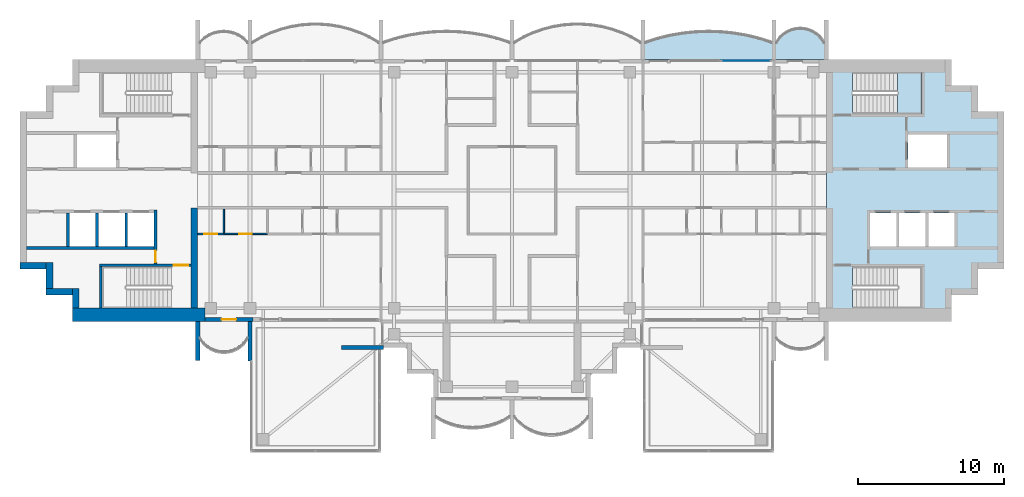
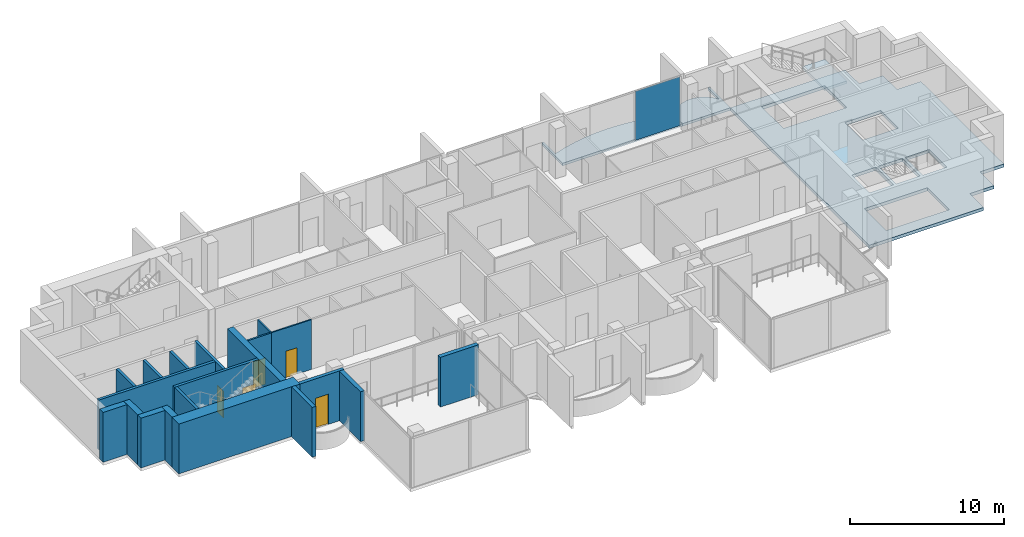
# One storey, part 6 of 16: 20 walls, 5 doors, 4 slabs, 1 plate, 5 openings, 2 elements without a shape of their own.
"""IFC4 building model written with IfcOpenShell, lengths in metres."""

from ifc_helpers import new_model, si_unit, direction, frame, frame_2d, origin, origin_2d, place, context, subcontext, project, spatial, polyline, rectangle, outline, extrude, material, layer, layer_set, type_object, element, fill, aggregate, save


model = new_model("IFC4")

# Units and contexts
model_context = context("Model", 3, precision=1e-05, world=origin(), true_north=direction((0.0, 1.0)))
body_context = subcontext(model_context, "Body", "Model", "MODEL_VIEW")
ifc_project = project(units=[si_unit("LENGTHUNIT", "METRE"), si_unit("AREAUNIT", "SQUARE_METRE"), si_unit("VOLUMEUNIT", "CUBIC_METRE"), si_unit("PLANEANGLEUNIT", "RADIAN"), si_unit("MASSUNIT", "GRAM", prefix="KILO")], contexts=[model_context])

# Site, building, storey
site_placement = place(None, origin())
site = spatial("IfcSite", under=ifc_project, at=site_placement, CompositionType="ELEMENT")
building_placement = place(site_placement, origin())
building = spatial("IfcBuilding", under=site, at=building_placement, Name="Perihelion Cross Residences", CompositionType="ELEMENT")
storey_placement = place(building_placement, frame((0.0, 0.0, 294.60009765625)))
storey = spatial("IfcBuildingStorey", under=building, at=storey_placement, Name="L75", CompositionType="ELEMENT", Elevation=294.60009765625)

# Slabs
ifc_material_1 = material(Name="Concrete C40/50", Category="concrete")
ifc_layer_1 = layer(ifc_material_1, 0.199951171875)
ifc_layer_set_1 = layer_set([ifc_layer_1], Name="Balcony slab 200")
slab_type_1 = type_object("IfcSlabType", Name="Balcony slab 200", PredefinedType="FLOOR", material=ifc_layer_set_1)
slab_1_placement = place(storey_placement, frame((0.0, 0.0, -0.2001953125)))
element("IfcSlab", 1, at=slab_1_placement, inside=storey, type_object=slab_type_1, Name="Slab BK1 L75 east side north bay 1 balcony", PredefinedType="FLOOR", context=body_context, shape_type="SweptSolid", body=[
    extrude(outline(polyline([(21.60009765625, 9.0), (18.0, 9.0), (18.0, 11.699951171875), (18.14990234375, 11.699951171875), (18.14990234375, 10.199951171875), (18.425048828125, 10.568603515625), (18.699951171875, 10.806396484375), (18.97509765625, 10.96875), (19.25, 11.07568359375), (19.52490234375, 11.136962890625), (19.800048828125, 11.156982421875), (20.074951171875, 11.136962890625), (20.35009765625, 11.07568359375), (20.625, 10.96875), (20.89990234375, 10.806396484375), (21.175048828125, 10.568603515625), (21.449951171875, 10.199951171875), (21.449951171875, 11.699951171875), (21.60009765625, 11.699951171875), (21.60009765625, 9.0)])), origin(), (0.0, 0.0, 1.0), 0.2001953125),
])
slab_2_placement = place(storey_placement, frame((0.0, 0.0, -0.2001953125)))
element("IfcSlab", 2, at=slab_2_placement, inside=storey, type_object=slab_type_1, Name="Slab BK1 L75 east side north bay 2 balcony", PredefinedType="FLOOR", context=body_context, shape_type="SweptSolid", body=[
    extrude(outline(polyline([(18.0, 9.0), (9.0, 9.0), (9.0, 11.699951171875), (9.14990234375, 11.699951171875), (9.14990234375, 10.199951171875), (10.02001953125, 10.47509765625), (10.889892578125, 10.68505859375), (11.760009765625, 10.8330078125), (12.6298828125, 10.9208984375), (13.5, 10.949951171875), (14.3701171875, 10.9208984375), (15.239990234375, 10.8330078125), (16.110107421875, 10.68505859375), (16.97998046875, 10.47509765625), (17.85009765625, 10.199951171875), (17.85009765625, 11.699951171875), (18.0, 11.699951171875), (18.0, 9.0)])), origin(), (0.0, 0.0, 1.0), 0.2001953125),
])

# Curtain wall, plate
ifc_material_2 = material(Name="Bronze anodised aluminium, tinted glazing", Category="aluminium")
curtain_wall_type = type_object("IfcCurtainWallType", Name="CW1", PredefinedType="NOTDEFINED", material=ifc_material_2)
curtain_wall_placement = place(storey_placement, origin())
curtain_wall = element("IfcCurtainWall", 3, at=curtain_wall_placement, inside=storey, type_object=curtain_wall_type, Name="Curtain wall CW1 L75 east side north bay 2", PredefinedType="NOTDEFINED")
ifc_material_3 = material(Name="Tinted laminated glass", Category="glass")
ifc_layer_2 = layer(ifc_material_3, 0.028076171875)
ifc_layer_set_2 = layer_set([ifc_layer_2], Name="CW1 panel")
plate_type = type_object("IfcPlateType", Name="CW1 panel", PredefinedType="CURTAIN_PANEL", material=ifc_layer_set_2)
plate_placement = place(storey_placement, frame((16.06005859375, 8.89990234375, 0.0), z_axis=(0.0, 0.0, 1.0), x_axis=(-1.0, 0.0, 0.0)))
plate = element("IfcPlate", 4, at=plate_placement, type_object=plate_type, Name="CW1 panel 1", PredefinedType="CURTAIN_PANEL", context=body_context, shape_type="SweptSolid", body=[
    extrude(rectangle(XDim=3.360107421875, YDim=0.028076171875, at=origin_2d()), origin(), (0.0, 0.0, 1.0), 3.889892578125),
])
aggregate(curtain_wall, [plate])

# Slab
ifc_material_4 = material(Name="Concrete C40/50", Category="concrete")
ifc_layer_3 = layer(ifc_material_4, 0.25)
ifc_layer_set_3 = layer_set([ifc_layer_3], Name="Core floor slab 250")
slab_type_2 = type_object("IfcSlabType", Name="Core floor slab 250", PredefinedType="FLOOR", material=ifc_layer_set_3)
slab_3_placement = place(storey_placement, frame((0.0, 0.0, -0.25)))
element("IfcSlab", 5, at=slab_3_placement, inside=storey, type_object=slab_type_2, Name="East core floor slab", PredefinedType="FLOOR", context=body_context, shape_type="SweptSolid", body=[
    extrude(outline(polyline([(30.199951171875, 7.199951171875), (32.0, 7.199951171875), (32.0, 5.39990234375), (33.800048828125, 5.39990234375), (33.800048828125, -5.39990234375), (32.0, -5.39990234375), (32.0, -7.199951171875), (30.199951171875, -7.199951171875), (30.199951171875, -9.0), (21.60009765625, -9.0), (21.60009765625, 9.0), (30.199951171875, 9.0), (30.199951171875, 7.199951171875)]), holes=[polyline([(28.14990234375, -8.10009765625), (28.14990234375, -5.25), (23.405029296875, -5.25), (23.405029296875, -8.10009765625), (28.14990234375, -8.10009765625)]), polyline([(24.60009765625, -1.550048828125), (24.60009765625, -3.85009765625), (26.39990234375, -3.85009765625), (26.39990234375, -1.550048828125), (24.60009765625, -1.550048828125)]), polyline([(26.60009765625, -1.550048828125), (26.60009765625, -3.85009765625), (28.39990234375, -3.85009765625), (28.39990234375, -1.550048828125), (26.60009765625, -1.550048828125)]), polyline([(28.60009765625, -3.85009765625), (30.39990234375, -3.85009765625), (30.39990234375, -1.550048828125), (28.60009765625, -1.550048828125), (28.60009765625, -3.85009765625)]), polyline([(27.199951171875, 3.85009765625), (27.199951171875, 1.550048828125), (29.89990234375, 1.550048828125), (29.89990234375, 3.85009765625), (27.199951171875, 3.85009765625)]), polyline([(23.405029296875, 5.25), (28.14990234375, 5.25), (28.14990234375, 8.10009765625), (23.405029296875, 8.10009765625), (23.405029296875, 5.25)])]), origin(), (0.0, 0.0, 1.0), 0.25),
])

# Stair, slab
ifc_material_5 = material(Name="Concrete C40/50", Category="concrete")
stair_type = type_object("IfcStairType", Name="Exit stair, half-turn", PredefinedType="HALF_TURN_STAIR", material=ifc_material_5)
stair_placement = place(storey_placement, origin())
stair = element("IfcStair", 6, at=stair_placement, inside=storey, type_object=stair_type, Name="L75 East core exit stair 1", PredefinedType="HALF_TURN_STAIR")
ifc_material_6 = material(Name="Concrete C40/50", Category="concrete")
ifc_layer_4 = layer(ifc_material_6, 0.199951171875)
ifc_layer_set_4 = layer_set([ifc_layer_4], Name="Exit stair landing 200")
slab_type_3 = type_object("IfcSlabType", Name="Exit stair landing 200", PredefinedType="LANDING", material=ifc_layer_set_4)
slab_4_placement = place(storey_placement, frame((0.0, 0.0, 1.89990234375)))
slab_4 = element("IfcSlab", 7, at=slab_4_placement, type_object=slab_type_3, Name="ST-E1 landing 1", PredefinedType="LANDING", context=body_context, shape_type="SweptSolid", body=[
    extrude(outline(polyline([(26.47998046875, 5.25), (28.14990234375, 5.25), (28.14990234375, 8.10009765625), (26.47998046875, 8.10009765625), (26.47998046875, 5.25)])), origin(), (0.0, 0.0, 1.0), 0.199951171875),
])
aggregate(stair, [slab_4])

# Wall, opening, door
ifc_material_7 = material(Name="Concrete C30/37, bronze-clad", Category="concrete")
ifc_layer_5 = layer(ifc_material_7, 0.25)
ifc_layer_set_5 = layer_set([ifc_layer_5], Name="Bronze-clad pier wall 250")
wall_type_1 = type_object("IfcWallType", Name="Bronze-clad pier wall 250", PredefinedType="SOLIDWALL", material=ifc_layer_set_5)
wall_1_placement = place(storey_placement, frame((-21.10009765625, -8.875, 0.0), z_axis=(0.0, 0.0, 1.0), x_axis=(1.0, 0.0, 0.0)))
wall_1 = element("IfcWall", 8, at=wall_1_placement, inside=storey, type_object=wall_type_1, Name="Wall FW1 L75 west side south bay 1 pier", PredefinedType="SOLIDWALL", context=body_context, shape_type="SweptSolid", body=[
    extrude(rectangle(XDim=3.300048828125, YDim=0.25, at=frame_2d((1.64990234375, 0.0))), origin(), (0.0, 0.0, 1.0), 3.949951171875),
])
opening_1_placement = place(wall_1_placement, frame((1.14990234375, 0.0, 0.0)))
opening_1 = element("IfcOpeningElement", 9, at=opening_1_placement, cuts=wall_1, Name="Opening L75.E07", PredefinedType="OPENING", context=body_context, shape_type="SweptSolid", body=[
    extrude(rectangle(XDim=1.0, YDim=2.39990234375, at=frame_2d((0.5, 1.199951171875))), frame((0.0, 0.135009765625, 0.0), z_axis=(0.0, -1.0, 0.0), x_axis=(1.0, 0.0, 0.0)), (0.0, 0.0, 1.0), 0.27001953125),
])
ifc_material_8 = material(Name="Bronze anodised aluminium, glazed", Category="aluminium")
door_type_1 = type_object("IfcDoorType", Name="Balcony door 1000 x 2400", OperationType="NOTDEFINED", PredefinedType="DOOR", material=ifc_material_8)
door_1_placement = place(opening_1_placement, origin())
door_1 = element("IfcDoor", 10, at=door_1_placement, inside=storey, type_object=door_type_1, Name="Door L75.E07 west side south bay 1", OperationType="SINGLE_SWING_LEFT", OverallHeight=2.39990234375, OverallWidth=1.0, PredefinedType="DOOR", context=body_context, shape_type="SweptSolid", body=[
    extrude(rectangle(XDim=1.0, YDim=2.39990234375, at=frame_2d((0.5, 1.199951171875))), frame((0.0, 0.02490234375, 0.0), z_axis=(0.0, -1.0, 0.0), x_axis=(1.0, 0.0, 0.0)), (0.0, 0.0, 1.0), 0.050048828125),
])
fill(opening_1, door_1)

# Walls
ifc_material_9 = material(Name="Concrete C60/75", Category="concrete")
ifc_layer_6 = layer(ifc_material_9, 0.449951171875)
ifc_layer_set_6 = layer_set([ifc_layer_6], Name="Core wall, inner 450")
wall_type_2 = type_object("IfcWallType", Name="Core wall, inner 450", PredefinedType="SHEAR", material=ifc_layer_set_6)
wall_2_placement = place(storey_placement, frame((-21.824951171875, -8.10009765625, 0.0), z_axis=(0.0, 0.0, 1.0), x_axis=(0.0, 1.0, 0.0)))
element("IfcWall", 11, at=wall_2_placement, inside=storey, type_object=wall_type_2, Name="West core core wall, inner", PredefinedType="SHEAR", context=body_context, shape_type="SweptSolid", body=[
    extrude(rectangle(XDim=6.900146484375, YDim=0.449951171875, at=frame_2d((3.4501953125, 0.0))), origin(), (0.0, 0.0, 1.0), 3.949951171875),
])
ifc_material_10 = material(Name="Concrete C60/75", Category="concrete")
ifc_layer_7 = layer(ifc_material_10, 0.449951171875)
ifc_layer_set_7 = layer_set([ifc_layer_7], Name="Core wall, outer 450")
wall_type_3 = type_object("IfcWallType", Name="Core wall, outer 450", PredefinedType="SHEAR", material=ifc_layer_set_7)
wall_3_placement = place(storey_placement, frame((-29.97509765625, -8.10009765625, 0.0), z_axis=(0.0, 0.0, 1.0), x_axis=(0.0, 1.0, 0.0)))
element("IfcWall", 12, at=wall_3_placement, inside=storey, type_object=wall_type_3, Name="West core core wall, outer", PredefinedType="SHEAR", context=body_context, shape_type="SweptSolid", body=[
    extrude(rectangle(XDim=1.35009765625, YDim=0.449951171875, at=frame_2d((0.675048828125, 0.0))), origin(), (0.0, 0.0, 1.0), 3.949951171875),
])
for number, where, z_axis, x_axis, name in (
    (13, (-32.0, -6.97509765625, 0.0), (0.0, 0.0, 1.0), (1.0, 0.0, 0.0), "West core core wall, outer"),
    (14, (-31.77490234375, -6.75, 0.0), (0.0, 0.0, 1.0), (0.0, 1.0, 0.0), "West core core wall, outer"),
    (15, (-33.800048828125, -5.175048828125, 0.0), (0.0, 0.0, 1.0), (1.0, 0.0, 0.0), "West core core wall, outer"),
):
    element("IfcWall", number, at=place(storey_placement, frame(where, z_axis=z_axis, x_axis=x_axis)), inside=storey, type_object=wall_type_3, Name=name, PredefinedType="SHEAR", context=body_context, shape_type="SweptSolid", body=[
        extrude(rectangle(XDim=1.800048828125, YDim=0.449951171875, at=frame_2d((0.89990234375, 0.0))), origin(), (0.0, 0.0, 1.0), 3.949951171875),
    ])
ifc_material_11 = material(Name="Concrete C60/75", Category="concrete")
ifc_layer_8 = layer(ifc_material_11, 0.89990234375)
ifc_layer_set_8 = layer_set([ifc_layer_8], Name="Core wall, outer 900")
wall_type_4 = type_object("IfcWallType", Name="Core wall, outer 900", PredefinedType="SHEAR", material=ifc_layer_set_8)
wall_4_placement = place(storey_placement, frame((-30.199951171875, -8.550048828125, 0.0), z_axis=(0.0, 0.0, 1.0), x_axis=(1.0, 0.0, 0.0)))
element("IfcWall", 16, at=wall_4_placement, inside=storey, type_object=wall_type_4, Name="West core core wall, outer", PredefinedType="SHEAR", context=body_context, shape_type="SweptSolid", body=[
    extrude(rectangle(XDim=9.099853515625, YDim=0.89990234375, at=frame_2d((4.5498046875, 0.0))), origin(), (0.0, 0.0, 1.0), 3.949951171875),
])

# Wall, opening, door
ifc_material_12 = material(Name="Concrete C50/60", Category="concrete")
ifc_layer_9 = layer(ifc_material_12, 0.199951171875)
ifc_layer_set_9 = layer_set([ifc_layer_9], Name="Lobby wall 200")
wall_type_5 = type_object("IfcWallType", Name="Lobby wall 200", PredefinedType="SOLIDWALL", material=ifc_layer_set_9)
wall_5_placement = place(storey_placement, frame((-24.5, -5.050048828125, 0.0), z_axis=(0.0, 0.0, 1.0), x_axis=(0.0, 1.0, 0.0)))
wall_5 = element("IfcWall", 17, at=wall_5_placement, inside=storey, type_object=wall_type_5, Name="West core lobby wall", PredefinedType="SOLIDWALL", context=body_context, shape_type="SweptSolid", body=[
    extrude(rectangle(XDim=3.699951171875, YDim=0.199951171875, at=frame_2d((1.85009765625, 0.0))), origin(), (0.0, 0.0, 1.0), 3.949951171875),
])
opening_2_placement = place(wall_5_placement, frame((0.10009765625, 0.0, 0.0)))
opening_2 = element("IfcOpeningElement", 18, at=opening_2_placement, cuts=wall_5, Name="Opening L75.C20", PredefinedType="OPENING", context=body_context, shape_type="SweptSolid", body=[
    extrude(rectangle(XDim=0.800048828125, YDim=2.10009765625, at=frame_2d((0.39990234375, 1.050048828125))), frame((0.0, 0.10986328125, 0.0), z_axis=(0.0, -1.0, 0.0), x_axis=(1.0, 0.0, 0.0)), (0.0, 0.0, 1.0), 0.219970703125),
])
ifc_material_13 = material(Name="Steel, powder coated", Category="steel")
door_type_2 = type_object("IfcDoorType", Name="Riser door 800", OperationType="SINGLE_SWING_LEFT", PredefinedType="DOOR", material=ifc_material_13)
door_2_placement = place(opening_2_placement, origin())
door_2 = element("IfcDoor", 19, at=door_2_placement, inside=storey, type_object=door_type_2, Name="West core riser door", OperationType="SINGLE_SWING_LEFT", OverallHeight=2.10009765625, OverallWidth=0.800048828125, PredefinedType="DOOR", context=body_context, shape_type="SweptSolid", body=[
    extrude(rectangle(XDim=0.800048828125, YDim=2.10009765625, at=frame_2d((0.39990234375, 1.050048828125))), frame((0.0, 0.02490234375, 0.0), z_axis=(0.0, -1.0, 0.0), x_axis=(1.0, 0.0, 0.0)), (0.0, 0.0, 1.0), 0.050048828125),
])
fill(opening_2, door_2)

ifc_material_14 = material(Name="Plasterboard partition")
ifc_layer_10 = layer(ifc_material_14, 0.1201171875)
ifc_layer_set_10 = layer_set([ifc_layer_10], Name="Partition wall 120")
wall_type_6 = type_object("IfcWallType", Name="Partition wall 120", PredefinedType="PARTITIONING", material=ifc_layer_set_10)
wall_6_placement = place(storey_placement, frame((-19.800048828125, -3.0, 0.0), z_axis=(0.0, 0.0, 1.0), x_axis=(-1.0, 0.0, 0.0)))
wall_6 = element("IfcWall", 20, at=wall_6_placement, inside=storey, type_object=wall_type_6, Name="Partition L75 W065", PredefinedType="PARTITIONING", context=body_context, shape_type="SweptSolid", body=[
    extrude(rectangle(XDim=1.800048828125, YDim=0.1201171875, at=frame_2d((0.89990234375, 0.0))), origin(), (0.0, 0.0, 1.0), 3.949951171875),
])
opening_3_placement = place(wall_6_placement, frame((0.449951171875, 0.0, 0.0)))
opening_3 = element("IfcOpeningElement", 21, at=opening_3_placement, cuts=wall_6, Name="Opening L75.A30", PredefinedType="OPENING", context=body_context, shape_type="SweptSolid", body=[
    extrude(rectangle(XDim=0.89990234375, YDim=2.10009765625, at=frame_2d((0.449951171875, 1.050048828125))), frame((0.0, 0.070068359375, 0.0), z_axis=(0.0, -1.0, 0.0), x_axis=(1.0, 0.0, 0.0)), (0.0, 0.0, 1.0), 0.14013671875),
])
ifc_material_15 = material(Name="Timber door leaf", Category="wood")
door_type_3 = type_object("IfcDoorType", Name="Interior room door 900 x 2100", OperationType="SINGLE_SWING_LEFT", PredefinedType="DOOR", material=ifc_material_15)
door_3_placement = place(opening_3_placement, origin())
door_3 = element("IfcDoor", 22, at=door_3_placement, inside=storey, type_object=door_type_3, Name="Door L75.A30", OperationType="SINGLE_SWING_LEFT", OverallHeight=2.10009765625, OverallWidth=0.89990234375, PredefinedType="DOOR", context=body_context, shape_type="SweptSolid", body=[
    extrude(rectangle(XDim=0.89990234375, YDim=2.10009765625, at=frame_2d((0.449951171875, 1.050048828125))), frame((0.0, 0.02490234375, 0.0), z_axis=(0.0, -1.0, 0.0), x_axis=(1.0, 0.0, 0.0)), (0.0, 0.0, 1.0), 0.050048828125),
])
fill(opening_3, door_3)

# Walls
ifc_material_16 = material(Name="Precast concrete C50/60", Category="concrete")
ifc_layer_11 = layer(ifc_material_16, 0.300048828125)
ifc_layer_set_11 = layer_set([ifc_layer_11], Name="Precast concrete C50/60 blade wall 300")
wall_type_7 = type_object("IfcWallType", Name="Precast concrete C50/60 blade wall 300", PredefinedType="SOLIDWALL", material=ifc_layer_set_11)
wall_7_placement = place(storey_placement, frame((-21.60009765625, -9.0, 0.0), z_axis=(0.0, 0.0, 1.0), x_axis=(0.0, -1.0, 0.0)))
element("IfcWall", 23, at=wall_7_placement, inside=storey, type_object=wall_type_7, Name="Wall BL1 L75 no. 3", PredefinedType="SOLIDWALL", context=body_context, shape_type="SweptSolid", body=[
    extrude(rectangle(XDim=2.699951171875, YDim=0.300048828125, at=frame_2d((1.35009765625, 0.0))), origin(), (0.0, 0.0, 1.0), 3.949951171875),
])
wall_8_placement = place(storey_placement, frame((-18.0, -9.0, 0.0), z_axis=(0.0, 0.0, 1.0), x_axis=(0.0, -1.0, 0.0)))
element("IfcWall", 24, at=wall_8_placement, inside=storey, type_object=wall_type_7, Name="Wall BL1 L75 no. 1", PredefinedType="SOLIDWALL", context=body_context, shape_type="SweptSolid", body=[
    extrude(rectangle(XDim=2.739990234375, YDim=0.300048828125, at=frame_2d((1.3701171875, 0.0))), origin(), (0.0, 0.0, 1.0), 3.949951171875),
])
wall_9_placement = place(storey_placement, frame((-8.820068359375, -10.800048828125, 0.0), z_axis=(0.0, 0.0, 1.0), x_axis=(-1.0, 0.0, 0.0)))
element("IfcWall", 25, at=wall_9_placement, inside=storey, type_object=wall_type_7, Name="Wall BL1 L75 no. 6", PredefinedType="SOLIDWALL", context=body_context, shape_type="SweptSolid", body=[
    extrude(rectangle(XDim=2.8798828125, YDim=0.300048828125, at=frame_2d((1.43994140625, 0.0))), origin(), (0.0, 0.0, 1.0), 3.949951171875),
])
ifc_material_17 = material(Name="Concrete C50/60", Category="concrete")
ifc_layer_12 = layer(ifc_material_17, 0.199951171875)
ifc_layer_set_12 = layer_set([ifc_layer_12], Name="Shaft wall 200")
wall_type_8 = type_object("IfcWallType", Name="Shaft wall 200", PredefinedType="SOLIDWALL", material=ifc_layer_set_12)
wall_10_placement = place(storey_placement, frame((-33.35009765625, -3.949951171875, 0.0), z_axis=(0.0, 0.0, 1.0), x_axis=(1.0, 0.0, 0.0)))
element("IfcWall", 26, at=wall_10_placement, inside=storey, type_object=wall_type_8, Name="West core shaft wall", PredefinedType="SOLIDWALL", context=body_context, shape_type="SweptSolid", body=[
    extrude(rectangle(XDim=8.75, YDim=0.199951171875, at=frame_2d((4.375, 0.0))), origin(), (0.0, 0.0, 1.0), 3.949951171875),
])
for number, where, z_axis, x_axis, name in (
    (27, (-26.5, -3.85009765625, 0.0), (0.0, 0.0, 1.0), (0.0, 1.0, 0.0), "West core shaft wall"),
    (28, (-28.5, -3.85009765625, 0.0), (0.0, 0.0, 1.0), (0.0, 1.0, 0.0), "West core shaft wall"),
    (29, (-30.5, -3.85009765625, 0.0), (0.0, 0.0, 1.0), (0.0, 1.0, 0.0), "West core shaft wall"),
):
    element("IfcWall", number, at=place(storey_placement, frame(where, z_axis=z_axis, x_axis=x_axis)), inside=storey, type_object=wall_type_8, Name=name, PredefinedType="SOLIDWALL", context=body_context, shape_type="SweptSolid", body=[
        extrude(rectangle(XDim=2.300048828125, YDim=0.199951171875, at=frame_2d((1.14990234375, 0.0))), origin(), (0.0, 0.0, 1.0), 3.949951171875),
    ])

# Wall, opening, door
ifc_material_18 = material(Name="Concrete C50/60", Category="concrete")
ifc_layer_13 = layer(ifc_material_18, 0.199951171875)
ifc_layer_set_13 = layer_set([ifc_layer_13], Name="Stair wall 200")
wall_type_9 = type_object("IfcWallType", Name="Stair wall 200", PredefinedType="SOLIDWALL", material=ifc_layer_set_13)
wall_11_placement = place(storey_placement, frame((-28.35009765625, -5.14990234375, 0.0), z_axis=(0.0, 0.0, 1.0), x_axis=(1.0, 0.0, 0.0)))
wall_11 = element("IfcWall", 30, at=wall_11_placement, inside=storey, type_object=wall_type_9, Name="West core stair wall", PredefinedType="SOLIDWALL", context=body_context, shape_type="SweptSolid", body=[
    extrude(rectangle(XDim=6.300048828125, YDim=0.199951171875, at=frame_2d((3.14990234375, 0.0))), origin(), (0.0, 0.0, 1.0), 3.949951171875),
])
opening_4_placement = place(wall_11_placement, frame((5.10009765625, 0.0, 0.0)))
opening_4 = element("IfcOpeningElement", 31, at=opening_4_placement, cuts=wall_11, Name="Opening L75.C17", PredefinedType="OPENING", context=body_context, shape_type="SweptSolid", body=[
    extrude(rectangle(XDim=1.0, YDim=2.10009765625, at=frame_2d((0.5, 1.050048828125))), frame((0.0, 0.10986328125, 0.0), z_axis=(0.0, -1.0, 0.0), x_axis=(1.0, 0.0, 0.0)), (0.0, 0.0, 1.0), 0.219970703125),
])
ifc_material_19 = material(Name="Steel, powder coated", Category="steel")
door_type_4 = type_object("IfcDoorType", Name="Stair door 1000", OperationType="SINGLE_SWING_LEFT", PredefinedType="DOOR", material=ifc_material_19)
door_4_placement = place(opening_4_placement, origin())
door_4 = element("IfcDoor", 32, at=door_4_placement, inside=storey, type_object=door_type_4, Name="West core stair door", OperationType="SINGLE_SWING_LEFT", OverallHeight=2.10009765625, OverallWidth=1.0, PredefinedType="DOOR", context=body_context, shape_type="SweptSolid", body=[
    extrude(rectangle(XDim=1.0, YDim=2.10009765625, at=frame_2d((0.5, 1.050048828125))), frame((0.0, 0.02490234375, 0.0), z_axis=(0.0, -1.0, 0.0), x_axis=(1.0, 0.0, 0.0)), (0.0, 0.0, 1.0), 0.050048828125),
])
fill(opening_4, door_4)

# Walls
wall_12_placement = place(storey_placement, frame((-28.25, -8.10009765625, 0.0), z_axis=(0.0, 0.0, 1.0), x_axis=(0.0, 1.0, 0.0)))
element("IfcWall", 33, at=wall_12_placement, inside=storey, type_object=wall_type_9, Name="West core stair wall", PredefinedType="SOLIDWALL", context=body_context, shape_type="SweptSolid", body=[
    extrude(rectangle(XDim=2.85009765625, YDim=0.199951171875, at=frame_2d((1.425048828125, 0.0))), origin(), (0.0, 0.0, 1.0), 3.949951171875),
])
ifc_material_20 = material(Name="Plasterboard partition")
ifc_layer_14 = layer(ifc_material_20, 0.10009765625)
ifc_layer_set_14 = layer_set([ifc_layer_14], Name="Wet room wall 100")
wall_type_10 = type_object("IfcWallType", Name="Wet room wall 100", PredefinedType="PARTITIONING", material=ifc_layer_set_14)
wall_13_placement = place(storey_placement, frame((-19.800048828125, -2.93994140625, 0.0), z_axis=(0.0, 0.0, 1.0), x_axis=(0.0, 1.0, 0.0)))
element("IfcWall", 34, at=wall_13_placement, inside=storey, type_object=wall_type_10, Name="Partition L75 W063", PredefinedType="PARTITIONING", context=body_context, shape_type="SweptSolid", body=[
    extrude(rectangle(XDim=1.639892578125, YDim=0.10009765625, at=frame_2d((0.81982421875, 0.0))), origin(), (0.0, 0.0, 1.0), 3.949951171875),
])

# Wall, opening, door
wall_14_placement = place(storey_placement, frame((-16.800048828125, -3.0, 0.0), z_axis=(0.0, 0.0, 1.0), x_axis=(-1.0, 0.0, 0.0)))
wall_14 = element("IfcWall", 35, at=wall_14_placement, inside=storey, type_object=wall_type_10, Name="Partition L75 W064", PredefinedType="PARTITIONING", context=body_context, shape_type="SweptSolid", body=[
    extrude(rectangle(XDim=3.0, YDim=0.10009765625, at=frame_2d((1.5, 0.0))), origin(), (0.0, 0.0, 1.0), 3.949951171875),
])
opening_5_placement = place(wall_14_placement, frame((1.074951171875, 0.0, 0.0)))
opening_5 = element("IfcOpeningElement", 36, at=opening_5_placement, cuts=wall_14, Name="Opening L75.A27", PredefinedType="OPENING", context=body_context, shape_type="SweptSolid", body=[
    extrude(rectangle(XDim=0.85009765625, YDim=2.10009765625, at=frame_2d((0.425048828125, 1.050048828125))), frame((0.0, 0.06005859375, 0.0), z_axis=(0.0, -1.0, 0.0), x_axis=(1.0, 0.0, 0.0)), (0.0, 0.0, 1.0), 0.1201171875),
])
ifc_material_21 = material(Name="Timber door leaf", Category="wood")
door_type_5 = type_object("IfcDoorType", Name="Interior bathroom door 850 x 2100", OperationType="SINGLE_SWING_LEFT", PredefinedType="DOOR", material=ifc_material_21)
door_5_placement = place(opening_5_placement, origin())
door_5 = element("IfcDoor", 37, at=door_5_placement, inside=storey, type_object=door_type_5, Name="Door L75.A27", OperationType="SINGLE_SWING_RIGHT", OverallHeight=2.10009765625, OverallWidth=0.85009765625, PredefinedType="DOOR", context=body_context, shape_type="SweptSolid", body=[
    extrude(rectangle(XDim=0.85009765625, YDim=2.10009765625, at=frame_2d((0.425048828125, 1.050048828125))), frame((0.0, 0.02490234375, 0.0), z_axis=(0.0, -1.0, 0.0), x_axis=(1.0, 0.0, 0.0)), (0.0, 0.0, 1.0), 0.050048828125),
])
fill(opening_5, door_5)

save(model, "model.ifc")
